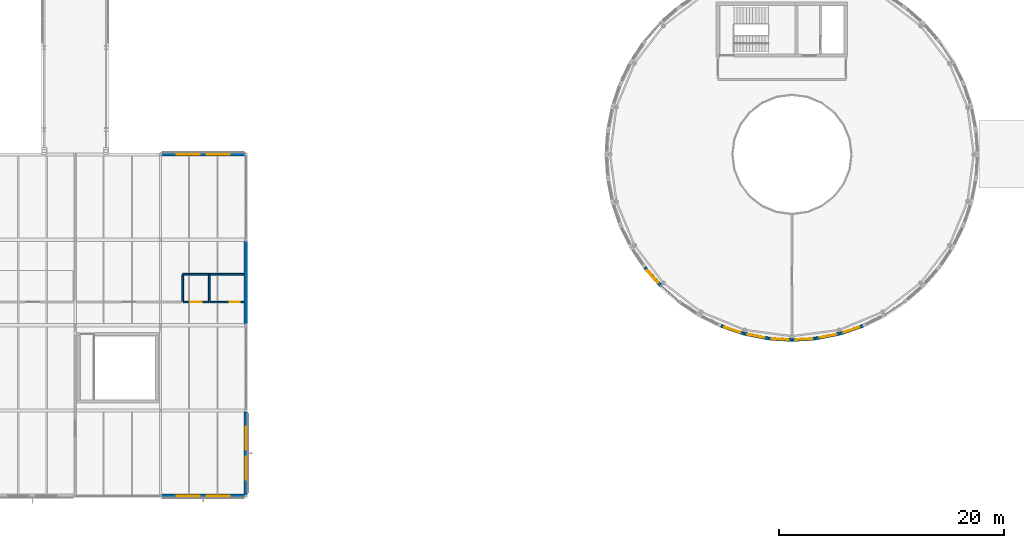
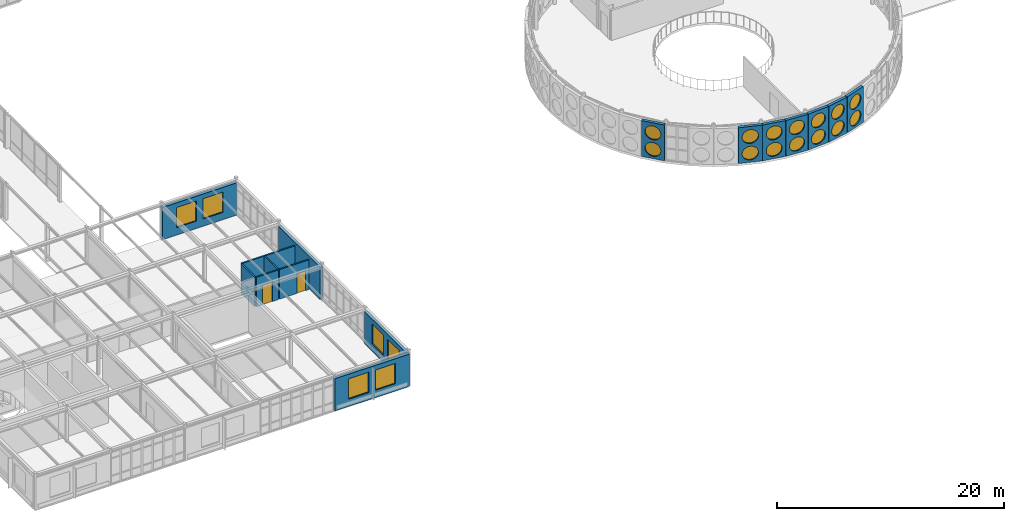
# One storey, part 158 of 189: 20 windows, 16 walls, 2 doors, 22 openings.
"""IFC4 building model written with IfcOpenShell, lengths in metres."""

from ifc_helpers import new_model, si_unit, direction, frame, frame_2d, origin, place, context, subcontext, project, spatial, rectangle, circle, extrude, material, layer, layer_set, type_object, element, fill, save


model = new_model("IFC4")

# Units and contexts
model_context = context("Model", 3, precision=1e-05, world=origin(), true_north=direction((0.0, 1.0)))
body_context = subcontext(model_context, "Body", "Model", "MODEL_VIEW")
ifc_project = project(units=[si_unit("LENGTHUNIT", "METRE"), si_unit("AREAUNIT", "SQUARE_METRE"), si_unit("VOLUMEUNIT", "CUBIC_METRE"), si_unit("PLANEANGLEUNIT", "RADIAN"), si_unit("MASSUNIT", "GRAM", prefix="KILO")], contexts=[model_context])

# Site, building, storey
site_placement = place(None, origin())
site = spatial("IfcSite", under=ifc_project, at=site_placement, CompositionType="ELEMENT")
building_placement = place(site_placement, origin())
building = spatial("IfcBuilding", under=site, at=building_placement, Name="Montecoro Central Library", CompositionType="ELEMENT")
storey_placement = place(building_placement, frame((0.0, 0.0, 9.179931640625)))
storey = spatial("IfcBuildingStorey", under=building, at=storey_placement, Name="L02", CompositionType="ELEMENT", Elevation=9.179931640625)

# Wall, openings, windows
ifc_material_1 = material(Name="Travertine Roman Stone and concrete C35/45", Category="masonry")
ifc_layer_1 = layer(ifc_material_1, 0.294921875)
ifc_layer_set_1 = layer_set([ifc_layer_1], Name="Travertine Roman Stone and concrete C35/45")
wall_type_1 = type_object("IfcWallType", Name="EW-DRM-295", PredefinedType="SOLIDWALL", material=ifc_layer_set_1)
wall_1_placement = place(storey_placement, frame((78.4990234375, 25.3369140625, 0.0), z_axis=(0.0, 0.0, 1.0), x_axis=(0.659744735503, -0.751489776362, 0.0)))
wall_1 = element("IfcWall", 1, at=wall_1_placement, inside=storey, type_object=wall_type_1, Name="V1-L02-EW-30", PredefinedType="SOLIDWALL", context=body_context, shape_type="SweptSolid", body=[
    extrude(rectangle(XDim=2.144775390625, YDim=0.294921875, at=frame_2d((1.072265625, 0.0))), origin(), (0.0, 0.0, 1.0), 3.85498046875),
])
opening_1_placement = place(wall_1_placement, frame((0.33203125, 0.0, 0.25)))
opening_1 = element("IfcOpeningElement", 2, at=opening_1_placement, cuts=wall_1, Name="Opening WP-03", PredefinedType="OPENING", context=body_context, shape_type="SweptSolid", body=[
    extrude(circle(Radius=0.739990234375, at=frame_2d((0.739990234375, 0.739990234375))), frame((0.0, 0.157470703125, 0.0), z_axis=(0.0, -1.0, 0.0), x_axis=(1.0, 0.0, 0.0)), (0.0, 0.0, 1.0), 0.31494140625),
])
opening_2_placement = place(wall_1_placement, frame((0.33203125, 0.0, 2.030029296875)))
opening_2 = element("IfcOpeningElement", 3, at=opening_2_placement, cuts=wall_1, Name="Opening WP-04", PredefinedType="OPENING", context=body_context, shape_type="SweptSolid", body=[
    extrude(circle(Radius=0.739990234375, at=frame_2d((0.739990234375, 0.739990234375))), frame((0.0, 0.157470703125, 0.0), z_axis=(0.0, -1.0, 0.0), x_axis=(1.0, 0.0, 0.0)), (0.0, 0.0, 1.0), 0.31494140625),
])
ifc_material_2 = material(Name="Clear sky-blue low-E laminated glazing", Category="glass")
window_type_1 = type_object("IfcWindowType", Name="WN-POR-CLR-148", PartitioningType="SINGLE_PANEL", PredefinedType="WINDOW", material=ifc_material_2)
window_1_placement = place(opening_1_placement, origin())
window_1 = element("IfcWindow", 4, at=window_1_placement, inside=storey, type_object=window_type_1, Name="V1-L02-WP-30-1", OverallHeight=1.47998046875, OverallWidth=1.47998046875, PartitioningType="SINGLE_PANEL", PredefinedType="WINDOW", context=body_context, shape_type="SweptSolid", body=[
    extrude(circle(Radius=0.739990234375, at=frame_2d((0.739990234375, 0.739990234375))), frame((0.0, 0.030029296875, 0.0), z_axis=(0.0, -1.0, 0.0), x_axis=(1.0, 0.0, 0.0)), (0.0, 0.0, 1.0), 0.06005859375),
])
fill(opening_1, window_1)
ifc_material_3 = material(Name="Frosted pearl-white ceramic-fritted glazing", Category="glass")
window_type_2 = type_object("IfcWindowType", Name="WN-POR-FRT-148", PartitioningType="SINGLE_PANEL", PredefinedType="WINDOW", material=ifc_material_3)
window_2_placement = place(opening_2_placement, origin())
window_2 = element("IfcWindow", 5, at=window_2_placement, inside=storey, type_object=window_type_2, Name="V1-L02-WP-30-2", OverallHeight=1.47998046875, OverallWidth=1.47998046875, PartitioningType="SINGLE_PANEL", PredefinedType="WINDOW", context=body_context, shape_type="SweptSolid", body=[
    extrude(circle(Radius=0.739990234375, at=frame_2d((0.739990234375, 0.739990234375))), frame((0.0, 0.030029296875, 0.0), z_axis=(0.0, -1.0, 0.0), x_axis=(1.0, 0.0, 0.0)), (0.0, 0.0, 1.0), 0.06005859375),
])
fill(opening_2, window_2)

wall_2_placement = place(storey_placement, frame((85.285888671875, 20.135009765625, 0.0), z_axis=(0.0, 0.0, 1.0), x_axis=(0.946949614692, -0.321382058047, 0.0)))
wall_2 = element("IfcWall", 6, at=wall_2_placement, inside=storey, type_object=wall_type_1, Name="V1-L02-EW-34", PredefinedType="SOLIDWALL", context=body_context, shape_type="SweptSolid", body=[
    extrude(rectangle(XDim=2.143798828125, YDim=0.294921875, at=frame_2d((1.07177734375, 0.0))), origin(), (0.0, 0.0, 1.0), 3.85498046875),
])
opening_3_placement = place(wall_2_placement, frame((0.33203125, 0.0, 0.25)))
opening_3 = element("IfcOpeningElement", 7, at=opening_3_placement, cuts=wall_2, Name="Opening WP-03", PredefinedType="OPENING", context=body_context, shape_type="SweptSolid", body=[
    extrude(circle(Radius=0.739990234375, at=frame_2d((0.739990234375, 0.739990234375))), frame((0.0, 0.157470703125, 0.0), z_axis=(0.0, -1.0, 0.0), x_axis=(1.0, 0.0, 0.0)), (0.0, 0.0, 1.0), 0.31494140625),
])
opening_4_placement = place(wall_2_placement, frame((0.33203125, 0.0, 2.030029296875)))
opening_4 = element("IfcOpeningElement", 8, at=opening_4_placement, cuts=wall_2, Name="Opening WP-04", PredefinedType="OPENING", context=body_context, shape_type="SweptSolid", body=[
    extrude(circle(Radius=0.739990234375, at=frame_2d((0.739990234375, 0.739990234375))), frame((0.0, 0.157470703125, 0.0), z_axis=(0.0, -1.0, 0.0), x_axis=(1.0, 0.0, 0.0)), (0.0, 0.0, 1.0), 0.31494140625),
])
window_3_placement = place(opening_3_placement, origin())
window_3 = element("IfcWindow", 9, at=window_3_placement, inside=storey, type_object=window_type_1, Name="V1-L02-WP-34-1", OverallHeight=1.47998046875, OverallWidth=1.47998046875, PartitioningType="SINGLE_PANEL", PredefinedType="WINDOW", context=body_context, shape_type="SweptSolid", body=[
    extrude(circle(Radius=0.739990234375, at=frame_2d((0.739990234375, 0.739990234375))), frame((0.0, 0.030029296875, 0.0), z_axis=(0.0, -1.0, 0.0), x_axis=(1.0, 0.0, 0.0)), (0.0, 0.0, 1.0), 0.06005859375),
])
fill(opening_3, window_3)
window_4_placement = place(opening_4_placement, origin())
window_4 = element("IfcWindow", 10, at=window_4_placement, inside=storey, type_object=window_type_2, Name="V1-L02-WP-34-2", OverallHeight=1.47998046875, OverallWidth=1.47998046875, PartitioningType="SINGLE_PANEL", PredefinedType="WINDOW", context=body_context, shape_type="SweptSolid", body=[
    extrude(circle(Radius=0.739990234375, at=frame_2d((0.739990234375, 0.739990234375))), frame((0.0, 0.030029296875, 0.0), z_axis=(0.0, -1.0, 0.0), x_axis=(1.0, 0.0, 0.0)), (0.0, 0.0, 1.0), 0.06005859375),
])
fill(opening_4, window_4)

wall_3_placement = place(storey_placement, frame((87.33203125, 19.44091796875, 0.0), z_axis=(0.0, 0.0, 1.0), x_axis=(0.980833742796, -0.194846526766, 0.0)))
wall_3 = element("IfcWall", 11, at=wall_3_placement, inside=storey, type_object=wall_type_1, Name="V1-L02-EW-35", PredefinedType="SOLIDWALL", context=body_context, shape_type="SweptSolid", body=[
    extrude(rectangle(XDim=2.14501953125, YDim=0.294921875, at=frame_2d((1.072509765625, 0.0))), origin(), (0.0, 0.0, 1.0), 3.85498046875),
])
opening_5_placement = place(wall_3_placement, frame((0.3330078125, 0.0, 0.25)))
opening_5 = element("IfcOpeningElement", 12, at=opening_5_placement, cuts=wall_3, Name="Opening WP-04", PredefinedType="OPENING", context=body_context, shape_type="SweptSolid", body=[
    extrude(circle(Radius=0.739990234375, at=frame_2d((0.739990234375, 0.739990234375))), frame((0.0, 0.157470703125, 0.0), z_axis=(0.0, -1.0, 0.0), x_axis=(1.0, 0.0, 0.0)), (0.0, 0.0, 1.0), 0.31494140625),
])
opening_6_placement = place(wall_3_placement, frame((0.3330078125, 0.0, 2.030029296875)))
opening_6 = element("IfcOpeningElement", 13, at=opening_6_placement, cuts=wall_3, Name="Opening WP-03", PredefinedType="OPENING", context=body_context, shape_type="SweptSolid", body=[
    extrude(circle(Radius=0.739990234375, at=frame_2d((0.739990234375, 0.739990234375))), frame((0.0, 0.157470703125, 0.0), z_axis=(0.0, -1.0, 0.0), x_axis=(1.0, 0.0, 0.0)), (0.0, 0.0, 1.0), 0.31494140625),
])
window_5_placement = place(opening_6_placement, origin())
window_5 = element("IfcWindow", 14, at=window_5_placement, inside=storey, type_object=window_type_1, Name="V1-L02-WP-35-2", OverallHeight=1.47998046875, OverallWidth=1.47998046875, PartitioningType="SINGLE_PANEL", PredefinedType="WINDOW", context=body_context, shape_type="SweptSolid", body=[
    extrude(circle(Radius=0.739990234375, at=frame_2d((0.739990234375, 0.739990234375))), frame((0.0, 0.030029296875, 0.0), z_axis=(0.0, -1.0, 0.0), x_axis=(1.0, 0.0, 0.0)), (0.0, 0.0, 1.0), 0.06005859375),
])
fill(opening_6, window_5)
window_6_placement = place(opening_5_placement, origin())
window_6 = element("IfcWindow", 15, at=window_6_placement, inside=storey, type_object=window_type_2, Name="V1-L02-WP-35-1", OverallHeight=1.47998046875, OverallWidth=1.47998046875, PartitioningType="SINGLE_PANEL", PredefinedType="WINDOW", context=body_context, shape_type="SweptSolid", body=[
    extrude(circle(Radius=0.739990234375, at=frame_2d((0.739990234375, 0.739990234375))), frame((0.0, 0.030029296875, 0.0), z_axis=(0.0, -1.0, 0.0), x_axis=(1.0, 0.0, 0.0)), (0.0, 0.0, 1.0), 0.06005859375),
])
fill(opening_5, window_6)

wall_4_placement = place(storey_placement, frame((89.451904296875, 19.02001953125, 0.0), z_axis=(0.0, 0.0, 1.0), x_axis=(0.997899987449, -0.064773567518, 0.0)))
wall_4 = element("IfcWall", 16, at=wall_4_placement, inside=storey, type_object=wall_type_1, Name="V1-L02-EW-36", PredefinedType="SOLIDWALL", context=body_context, shape_type="SweptSolid", body=[
    extrude(rectangle(XDim=2.14453125, YDim=0.294921875, at=frame_2d((1.072265625, 0.0))), origin(), (0.0, 0.0, 1.0), 3.85498046875),
])
opening_7_placement = place(wall_4_placement, frame((0.33203125, 0.0, 0.25)))
opening_7 = element("IfcOpeningElement", 17, at=opening_7_placement, cuts=wall_4, Name="Opening WP-03", PredefinedType="OPENING", context=body_context, shape_type="SweptSolid", body=[
    extrude(circle(Radius=0.739990234375, at=frame_2d((0.739990234375, 0.739990234375))), frame((0.0, 0.157470703125, 0.0), z_axis=(0.0, -1.0, 0.0), x_axis=(1.0, 0.0, 0.0)), (0.0, 0.0, 1.0), 0.31494140625),
])
opening_8_placement = place(wall_4_placement, frame((0.33203125, 0.0, 2.030029296875)))
opening_8 = element("IfcOpeningElement", 18, at=opening_8_placement, cuts=wall_4, Name="Opening WP-04", PredefinedType="OPENING", context=body_context, shape_type="SweptSolid", body=[
    extrude(circle(Radius=0.739990234375, at=frame_2d((0.739990234375, 0.739990234375))), frame((0.0, 0.157470703125, 0.0), z_axis=(0.0, -1.0, 0.0), x_axis=(1.0, 0.0, 0.0)), (0.0, 0.0, 1.0), 0.31494140625),
])
window_7_placement = place(opening_7_placement, origin())
window_7 = element("IfcWindow", 19, at=window_7_placement, inside=storey, type_object=window_type_1, Name="V1-L02-WP-36-1", OverallHeight=1.47998046875, OverallWidth=1.47998046875, PartitioningType="SINGLE_PANEL", PredefinedType="WINDOW", context=body_context, shape_type="SweptSolid", body=[
    extrude(circle(Radius=0.739990234375, at=frame_2d((0.739990234375, 0.739990234375))), frame((0.0, 0.030029296875, 0.0), z_axis=(0.0, -1.0, 0.0), x_axis=(1.0, 0.0, 0.0)), (0.0, 0.0, 1.0), 0.06005859375),
])
fill(opening_7, window_7)
window_8_placement = place(opening_8_placement, origin())
window_8 = element("IfcWindow", 20, at=window_8_placement, inside=storey, type_object=window_type_2, Name="V1-L02-WP-36-2", OverallHeight=1.47998046875, OverallWidth=1.47998046875, PartitioningType="SINGLE_PANEL", PredefinedType="WINDOW", context=body_context, shape_type="SweptSolid", body=[
    extrude(circle(Radius=0.739990234375, at=frame_2d((0.739990234375, 0.739990234375))), frame((0.0, 0.030029296875, 0.0), z_axis=(0.0, -1.0, 0.0), x_axis=(1.0, 0.0, 0.0)), (0.0, 0.0, 1.0), 0.06005859375),
])
fill(opening_8, window_8)

wall_5_placement = place(storey_placement, frame((91.60791015625, 18.881103515625, 0.0), z_axis=(0.0, 0.0, 1.0), x_axis=(0.997899987449, 0.064773567518, 0.0)))
wall_5 = element("IfcWall", 21, at=wall_5_placement, inside=storey, type_object=wall_type_1, Name="V1-L02-EW-37", PredefinedType="SOLIDWALL", context=body_context, shape_type="SweptSolid", body=[
    extrude(rectangle(XDim=2.14453125, YDim=0.294921875, at=frame_2d((1.072265625, 0.0))), origin(), (0.0, 0.0, 1.0), 3.85498046875),
])
opening_9_placement = place(wall_5_placement, frame((0.33203125, 0.0, 0.25)))
opening_9 = element("IfcOpeningElement", 22, at=opening_9_placement, cuts=wall_5, Name="Opening WP-04", PredefinedType="OPENING", context=body_context, shape_type="SweptSolid", body=[
    extrude(circle(Radius=0.739990234375, at=frame_2d((0.739990234375, 0.739990234375))), frame((0.0, 0.157470703125, 0.0), z_axis=(0.0, -1.0, 0.0), x_axis=(1.0, 0.0, 0.0)), (0.0, 0.0, 1.0), 0.31494140625),
])
opening_10_placement = place(wall_5_placement, frame((0.33203125, 0.0, 2.030029296875)))
opening_10 = element("IfcOpeningElement", 23, at=opening_10_placement, cuts=wall_5, Name="Opening WP-03", PredefinedType="OPENING", context=body_context, shape_type="SweptSolid", body=[
    extrude(circle(Radius=0.739990234375, at=frame_2d((0.739990234375, 0.739990234375))), frame((0.0, 0.157470703125, 0.0), z_axis=(0.0, -1.0, 0.0), x_axis=(1.0, 0.0, 0.0)), (0.0, 0.0, 1.0), 0.31494140625),
])
window_9_placement = place(opening_10_placement, origin())
window_9 = element("IfcWindow", 24, at=window_9_placement, inside=storey, type_object=window_type_1, Name="V1-L02-WP-37-2", OverallHeight=1.47998046875, OverallWidth=1.47998046875, PartitioningType="SINGLE_PANEL", PredefinedType="WINDOW", context=body_context, shape_type="SweptSolid", body=[
    extrude(circle(Radius=0.739990234375, at=frame_2d((0.739990234375, 0.739990234375))), frame((0.0, 0.030029296875, 0.0), z_axis=(0.0, -1.0, 0.0), x_axis=(1.0, 0.0, 0.0)), (0.0, 0.0, 1.0), 0.06005859375),
])
fill(opening_10, window_9)
window_10_placement = place(opening_9_placement, origin())
window_10 = element("IfcWindow", 25, at=window_10_placement, inside=storey, type_object=window_type_2, Name="V1-L02-WP-37-1", OverallHeight=1.47998046875, OverallWidth=1.47998046875, PartitioningType="SINGLE_PANEL", PredefinedType="WINDOW", context=body_context, shape_type="SweptSolid", body=[
    extrude(circle(Radius=0.739990234375, at=frame_2d((0.739990234375, 0.739990234375))), frame((0.0, 0.030029296875, 0.0), z_axis=(0.0, -1.0, 0.0), x_axis=(1.0, 0.0, 0.0)), (0.0, 0.0, 1.0), 0.06005859375),
])
fill(opening_9, window_10)

wall_6_placement = place(storey_placement, frame((93.763916015625, 19.02294921875, 0.0), z_axis=(0.0, 0.0, 1.0), x_axis=(0.980833742796, 0.194846526766, 0.0)))
wall_6 = element("IfcWall", 26, at=wall_6_placement, inside=storey, type_object=wall_type_1, Name="V1-L02-EW-38", PredefinedType="SOLIDWALL", context=body_context, shape_type="SweptSolid", body=[
    extrude(rectangle(XDim=2.14501953125, YDim=0.294921875, at=frame_2d((1.072509765625, 0.0))), origin(), (0.0, 0.0, 1.0), 3.85498046875),
])
opening_11_placement = place(wall_6_placement, frame((0.3330078125, 0.0, 0.25)))
opening_11 = element("IfcOpeningElement", 27, at=opening_11_placement, cuts=wall_6, Name="Opening WP-03", PredefinedType="OPENING", context=body_context, shape_type="SweptSolid", body=[
    extrude(circle(Radius=0.739990234375, at=frame_2d((0.739990234375, 0.739990234375))), frame((0.0, 0.157470703125, 0.0), z_axis=(0.0, -1.0, 0.0), x_axis=(1.0, 0.0, 0.0)), (0.0, 0.0, 1.0), 0.31494140625),
])
opening_12_placement = place(wall_6_placement, frame((0.3330078125, 0.0, 2.030029296875)))
opening_12 = element("IfcOpeningElement", 28, at=opening_12_placement, cuts=wall_6, Name="Opening WP-04", PredefinedType="OPENING", context=body_context, shape_type="SweptSolid", body=[
    extrude(circle(Radius=0.739990234375, at=frame_2d((0.739990234375, 0.739990234375))), frame((0.0, 0.157470703125, 0.0), z_axis=(0.0, -1.0, 0.0), x_axis=(1.0, 0.0, 0.0)), (0.0, 0.0, 1.0), 0.31494140625),
])
window_11_placement = place(opening_11_placement, origin())
window_11 = element("IfcWindow", 29, at=window_11_placement, inside=storey, type_object=window_type_1, Name="V1-L02-WP-38-1", OverallHeight=1.47998046875, OverallWidth=1.47998046875, PartitioningType="SINGLE_PANEL", PredefinedType="WINDOW", context=body_context, shape_type="SweptSolid", body=[
    extrude(circle(Radius=0.739990234375, at=frame_2d((0.739990234375, 0.739990234375))), frame((0.0, 0.030029296875, 0.0), z_axis=(0.0, -1.0, 0.0), x_axis=(1.0, 0.0, 0.0)), (0.0, 0.0, 1.0), 0.06005859375),
])
fill(opening_11, window_11)
window_12_placement = place(opening_12_placement, origin())
window_12 = element("IfcWindow", 30, at=window_12_placement, inside=storey, type_object=window_type_2, Name="V1-L02-WP-38-2", OverallHeight=1.47998046875, OverallWidth=1.47998046875, PartitioningType="SINGLE_PANEL", PredefinedType="WINDOW", context=body_context, shape_type="SweptSolid", body=[
    extrude(circle(Radius=0.739990234375, at=frame_2d((0.739990234375, 0.739990234375))), frame((0.0, 0.030029296875, 0.0), z_axis=(0.0, -1.0, 0.0), x_axis=(1.0, 0.0, 0.0)), (0.0, 0.0, 1.0), 0.06005859375),
])
fill(opening_12, window_12)

wall_7_placement = place(storey_placement, frame((95.884033203125, 19.446044921875, 0.0), z_axis=(0.0, 0.0, 1.0), x_axis=(0.946949614692, 0.321382058047, 0.0)))
wall_7 = element("IfcWall", 31, at=wall_7_placement, inside=storey, type_object=wall_type_1, Name="V1-L02-EW-39", PredefinedType="SOLIDWALL", context=body_context, shape_type="SweptSolid", body=[
    extrude(rectangle(XDim=2.143798828125, YDim=0.294921875, at=frame_2d((1.07177734375, 0.0))), origin(), (0.0, 0.0, 1.0), 3.85498046875),
])
opening_13_placement = place(wall_7_placement, frame((0.33203125, 0.0, 0.25)))
opening_13 = element("IfcOpeningElement", 32, at=opening_13_placement, cuts=wall_7, Name="Opening WP-04", PredefinedType="OPENING", context=body_context, shape_type="SweptSolid", body=[
    extrude(circle(Radius=0.739990234375, at=frame_2d((0.739990234375, 0.739990234375))), frame((0.0, 0.157470703125, 0.0), z_axis=(0.0, -1.0, 0.0), x_axis=(1.0, 0.0, 0.0)), (0.0, 0.0, 1.0), 0.31494140625),
])
opening_14_placement = place(wall_7_placement, frame((0.33203125, 0.0, 2.030029296875)))
opening_14 = element("IfcOpeningElement", 33, at=opening_14_placement, cuts=wall_7, Name="Opening WP-03", PredefinedType="OPENING", context=body_context, shape_type="SweptSolid", body=[
    extrude(circle(Radius=0.739990234375, at=frame_2d((0.739990234375, 0.739990234375))), frame((0.0, 0.157470703125, 0.0), z_axis=(0.0, -1.0, 0.0), x_axis=(1.0, 0.0, 0.0)), (0.0, 0.0, 1.0), 0.31494140625),
])
window_13_placement = place(opening_14_placement, origin())
window_13 = element("IfcWindow", 34, at=window_13_placement, inside=storey, type_object=window_type_1, Name="V1-L02-WP-39-2", OverallHeight=1.47998046875, OverallWidth=1.47998046875, PartitioningType="SINGLE_PANEL", PredefinedType="WINDOW", context=body_context, shape_type="SweptSolid", body=[
    extrude(circle(Radius=0.739990234375, at=frame_2d((0.739990234375, 0.739990234375))), frame((0.0, 0.030029296875, 0.0), z_axis=(0.0, -1.0, 0.0), x_axis=(1.0, 0.0, 0.0)), (0.0, 0.0, 1.0), 0.06005859375),
])
fill(opening_14, window_13)
window_14_placement = place(opening_13_placement, origin())
window_14 = element("IfcWindow", 35, at=window_14_placement, inside=storey, type_object=window_type_2, Name="V1-L02-WP-39-1", OverallHeight=1.47998046875, OverallWidth=1.47998046875, PartitioningType="SINGLE_PANEL", PredefinedType="WINDOW", context=body_context, shape_type="SweptSolid", body=[
    extrude(circle(Radius=0.739990234375, at=frame_2d((0.739990234375, 0.739990234375))), frame((0.0, 0.030029296875, 0.0), z_axis=(0.0, -1.0, 0.0), x_axis=(1.0, 0.0, 0.0)), (0.0, 0.0, 1.0), 0.06005859375),
])
fill(opening_13, window_14)

ifc_material_4 = material(Name="Roman travertine stone clad concrete C35/45", Category="masonry")
ifc_layer_2 = layer(ifc_material_4, 0.31005859375)
ifc_layer_set_2 = layer_set([ifc_layer_2], Name="Roman travertine stone clad concrete C35/45")
wall_type_2 = type_object("IfcWallType", Name="EW-TRV-310", PredefinedType="SOLIDWALL", material=ifc_layer_set_2)
wall_8_placement = place(storey_placement, frame((35.404052734375, 5.0, 0.0), z_axis=(0.0, 0.0, 1.0), x_axis=(1.0, 0.0, 0.0)))
wall_8 = element("IfcWall", 36, at=wall_8_placement, inside=storey, type_object=wall_type_2, Name="V3-L02-EW-S4", PredefinedType="SOLIDWALL", context=body_context, shape_type="SweptSolid", body=[
    extrude(rectangle(XDim=7.592041015625, YDim=0.31005859375, at=frame_2d((3.7958984375, 0.0))), origin(), (0.0, 0.0, 1.0), 3.47998046875),
])
opening_15_placement = place(wall_8_placement, frame((1.4208984375, 0.0, 0.800048828125)))
opening_15 = element("IfcOpeningElement", 37, at=opening_15_placement, cuts=wall_8, Name="Opening WN-13", PredefinedType="OPENING", context=body_context, shape_type="SweptSolid", body=[
    extrude(rectangle(XDim=2.050048828125, YDim=2.179931640625, at=frame_2d((1.02490234375, 1.08984375))), frame((0.0, 0.1650390625, 0.0), z_axis=(0.0, -1.0, 0.0), x_axis=(1.0, 0.0, 0.0)), (0.0, 0.0, 1.0), 0.330078125),
])
opening_16_placement = place(wall_8_placement, frame((4.12109375, 0.0, 0.800048828125)))
opening_16 = element("IfcOpeningElement", 38, at=opening_16_placement, cuts=wall_8, Name="Opening WN-13", PredefinedType="OPENING", context=body_context, shape_type="SweptSolid", body=[
    extrude(rectangle(XDim=2.050048828125, YDim=2.179931640625, at=frame_2d((1.02490234375, 1.08984375))), frame((0.0, 0.1650390625, 0.0), z_axis=(0.0, -1.0, 0.0), x_axis=(1.0, 0.0, 0.0)), (0.0, 0.0, 1.0), 0.330078125),
])
ifc_material_5 = material(Name="Laminated low-E double glazing", Category="glass")
window_type_3 = type_object("IfcWindowType", Name="WN-CHD-205", PartitioningType="SINGLE_PANEL", PredefinedType="WINDOW", material=ifc_material_5)
window_15_placement = place(opening_15_placement, origin())
window_15 = element("IfcWindow", 39, at=window_15_placement, inside=storey, type_object=window_type_3, Name="V3-L02-WN-S4-1", OverallHeight=2.179931640625, OverallWidth=2.050048828125, PartitioningType="SINGLE_PANEL", PredefinedType="WINDOW", context=body_context, shape_type="SweptSolid", body=[
    extrude(rectangle(XDim=2.050048828125, YDim=2.179931640625, at=frame_2d((1.02490234375, 1.08984375))), frame((0.0, 0.030029296875, 0.0), z_axis=(0.0, -1.0, 0.0), x_axis=(1.0, 0.0, 0.0)), (0.0, 0.0, 1.0), 0.06005859375),
])
fill(opening_15, window_15)
window_16_placement = place(opening_16_placement, origin())
window_16 = element("IfcWindow", 40, at=window_16_placement, inside=storey, type_object=window_type_3, Name="V3-L02-WN-S4-2", OverallHeight=2.179931640625, OverallWidth=2.050048828125, PartitioningType="SINGLE_PANEL", PredefinedType="WINDOW", context=body_context, shape_type="SweptSolid", body=[
    extrude(rectangle(XDim=2.050048828125, YDim=2.179931640625, at=frame_2d((1.02490234375, 1.08984375))), frame((0.0, 0.030029296875, 0.0), z_axis=(0.0, -1.0, 0.0), x_axis=(1.0, 0.0, 0.0)), (0.0, 0.0, 1.0), 0.06005859375),
])
fill(opening_16, window_16)

wall_9_placement = place(storey_placement, frame((43.0, 5.117919921875, 0.0), z_axis=(0.0, 0.0, 1.0), x_axis=(0.0, 1.0, 0.0)))
wall_9 = element("IfcWall", 41, at=wall_9_placement, inside=storey, type_object=wall_type_2, Name="V3-L02-EW-E0", PredefinedType="SOLIDWALL", context=body_context, shape_type="SweptSolid", body=[
    extrude(rectangle(XDim=7.364013671875, YDim=0.31005859375, at=frame_2d((3.68212890625, 0.0))), origin(), (0.0, 0.0, 1.0), 3.47998046875),
])
opening_17_placement = place(wall_9_placement, frame((1.306884765625, 0.0, 0.800048828125)))
opening_17 = element("IfcOpeningElement", 42, at=opening_17_placement, cuts=wall_9, Name="Opening WN-13", PredefinedType="OPENING", context=body_context, shape_type="SweptSolid", body=[
    extrude(rectangle(XDim=2.050048828125, YDim=2.179931640625, at=frame_2d((1.02490234375, 1.08984375))), frame((0.0, 0.1650390625, 0.0), z_axis=(0.0, -1.0, 0.0), x_axis=(1.0, 0.0, 0.0)), (0.0, 0.0, 1.0), 0.330078125),
])
opening_18_placement = place(wall_9_placement, frame((4.007080078125, 0.0, 0.800048828125)))
opening_18 = element("IfcOpeningElement", 43, at=opening_18_placement, cuts=wall_9, Name="Opening WN-13", PredefinedType="OPENING", context=body_context, shape_type="SweptSolid", body=[
    extrude(rectangle(XDim=2.050048828125, YDim=2.179931640625, at=frame_2d((1.02490234375, 1.08984375))), frame((0.0, 0.1650390625, 0.0), z_axis=(0.0, -1.0, 0.0), x_axis=(1.0, 0.0, 0.0)), (0.0, 0.0, 1.0), 0.330078125),
])
window_17_placement = place(opening_17_placement, origin())
window_17 = element("IfcWindow", 44, at=window_17_placement, inside=storey, type_object=window_type_3, Name="V3-L02-WN-E0-1", OverallHeight=2.179931640625, OverallWidth=2.050048828125, PartitioningType="SINGLE_PANEL", PredefinedType="WINDOW", context=body_context, shape_type="SweptSolid", body=[
    extrude(rectangle(XDim=2.050048828125, YDim=2.179931640625, at=frame_2d((1.02490234375, 1.08984375))), frame((0.0, 0.030029296875, 0.0), z_axis=(0.0, -1.0, 0.0), x_axis=(1.0, 0.0, 0.0)), (0.0, 0.0, 1.0), 0.06005859375),
])
fill(opening_17, window_17)
window_18_placement = place(opening_18_placement, origin())
window_18 = element("IfcWindow", 45, at=window_18_placement, inside=storey, type_object=window_type_3, Name="V3-L02-WN-E0-2", OverallHeight=2.179931640625, OverallWidth=2.050048828125, PartitioningType="SINGLE_PANEL", PredefinedType="WINDOW", context=body_context, shape_type="SweptSolid", body=[
    extrude(rectangle(XDim=2.050048828125, YDim=2.179931640625, at=frame_2d((1.02490234375, 1.08984375))), frame((0.0, 0.030029296875, 0.0), z_axis=(0.0, -1.0, 0.0), x_axis=(1.0, 0.0, 0.0)), (0.0, 0.0, 1.0), 0.06005859375),
])
fill(opening_18, window_18)

# Wall
wall_10_placement = place(storey_placement, frame((43.0, 20.318115234375, 0.0), z_axis=(0.0, 0.0, 1.0), x_axis=(0.0, 1.0, 0.0)))
element("IfcWall", 46, at=wall_10_placement, inside=storey, type_object=wall_type_2, Name="V3-L02-EW-E2", PredefinedType="SOLIDWALL", context=body_context, shape_type="SweptSolid", body=[
    extrude(rectangle(XDim=7.36376953125, YDim=0.31005859375, at=frame_2d((3.681884765625, 0.0))), origin(), (0.0, 0.0, 1.0), 3.47998046875),
])

# Wall, openings, windows
wall_11_placement = place(storey_placement, frame((42.99609375, 35.39990234375, 0.0), z_axis=(0.0, 0.0, 1.0), x_axis=(-1.0, 0.0, 0.0)))
wall_11 = element("IfcWall", 47, at=wall_11_placement, inside=storey, type_object=wall_type_2, Name="V3-L02-EW-N4", PredefinedType="SOLIDWALL", context=body_context, shape_type="SweptSolid", body=[
    extrude(rectangle(XDim=7.592041015625, YDim=0.31005859375, at=frame_2d((3.7958984375, 0.0))), origin(), (0.0, 0.0, 1.0), 3.47998046875),
])
opening_19_placement = place(wall_11_placement, frame((1.4208984375, 0.0, 0.800048828125)))
opening_19 = element("IfcOpeningElement", 48, at=opening_19_placement, cuts=wall_11, Name="Opening WN-13", PredefinedType="OPENING", context=body_context, shape_type="SweptSolid", body=[
    extrude(rectangle(XDim=2.050048828125, YDim=2.179931640625, at=frame_2d((1.02490234375, 1.08984375))), frame((0.0, 0.1650390625, 0.0), z_axis=(0.0, -1.0, 0.0), x_axis=(1.0, 0.0, 0.0)), (0.0, 0.0, 1.0), 0.330078125),
])
opening_20_placement = place(wall_11_placement, frame((4.12109375, 0.0, 0.800048828125)))
opening_20 = element("IfcOpeningElement", 49, at=opening_20_placement, cuts=wall_11, Name="Opening WN-13", PredefinedType="OPENING", context=body_context, shape_type="SweptSolid", body=[
    extrude(rectangle(XDim=2.050048828125, YDim=2.179931640625, at=frame_2d((1.02490234375, 1.08984375))), frame((0.0, 0.1650390625, 0.0), z_axis=(0.0, -1.0, 0.0), x_axis=(1.0, 0.0, 0.0)), (0.0, 0.0, 1.0), 0.330078125),
])
window_19_placement = place(opening_19_placement, origin())
window_19 = element("IfcWindow", 50, at=window_19_placement, inside=storey, type_object=window_type_3, Name="V3-L02-WN-N4-1", OverallHeight=2.179931640625, OverallWidth=2.050048828125, PartitioningType="SINGLE_PANEL", PredefinedType="WINDOW", context=body_context, shape_type="SweptSolid", body=[
    extrude(rectangle(XDim=2.050048828125, YDim=2.179931640625, at=frame_2d((1.02490234375, 1.08984375))), frame((0.0, 0.030029296875, 0.0), z_axis=(0.0, -1.0, 0.0), x_axis=(1.0, 0.0, 0.0)), (0.0, 0.0, 1.0), 0.06005859375),
])
fill(opening_19, window_19)
window_20_placement = place(opening_20_placement, origin())
window_20 = element("IfcWindow", 51, at=window_20_placement, inside=storey, type_object=window_type_3, Name="V3-L02-WN-N4-2", OverallHeight=2.179931640625, OverallWidth=2.050048828125, PartitioningType="SINGLE_PANEL", PredefinedType="WINDOW", context=body_context, shape_type="SweptSolid", body=[
    extrude(rectangle(XDim=2.050048828125, YDim=2.179931640625, at=frame_2d((1.02490234375, 1.08984375))), frame((0.0, 0.030029296875, 0.0), z_axis=(0.0, -1.0, 0.0), x_axis=(1.0, 0.0, 0.0)), (0.0, 0.0, 1.0), 0.06005859375),
])
fill(opening_20, window_20)

# Walls
ifc_material_6 = material(Name="Moisture-resistant ceramic-tiled partition")
ifc_layer_3 = layer(ifc_material_6, 0.14990234375)
ifc_layer_set_3 = layer_set([ifc_layer_3], Name="Moisture-resistant ceramic-tiled partition")
wall_type_3 = type_object("IfcWallType", Name="IW-WET-150", PredefinedType="PARTITIONING", material=ifc_layer_set_3)
wall_12_placement = place(storey_placement, frame((37.3798828125, 24.72998046875, 0.0), z_axis=(0.0, 0.0, 1.0), x_axis=(1.0, 0.0, 0.0)))
element("IfcWall", 52, at=wall_12_placement, inside=storey, type_object=wall_type_3, Name="WC-V3-L02-WBK", PredefinedType="PARTITIONING", context=body_context, shape_type="SweptSolid", body=[
    extrude(rectangle(XDim=5.420166015625, YDim=0.14990234375, at=frame_2d((2.7099609375, 0.0))), origin(), (0.0, 0.0, 1.0), 3.18017578125),
])
for number, where, z_axis, x_axis, name in (
    (53, (37.3798828125, 22.31005859375, 0.0), (0.0, 0.0, 1.0), (0.0, 1.0, 0.0), "WC-V3-L02-WW"),
    (54, (39.72998046875, 22.31005859375, 0.0), (0.0, 0.0, 1.0), (0.0, 1.0, 0.0), "WC-V3-L02-WM"),
):
    element("IfcWall", number, at=place(storey_placement, frame(where, z_axis=z_axis, x_axis=x_axis)), inside=storey, type_object=wall_type_3, Name=name, PredefinedType="PARTITIONING", context=body_context, shape_type="SweptSolid", body=[
        extrude(rectangle(XDim=2.35986328125, YDim=0.14990234375, at=frame_2d((1.179931640625, 0.0))), origin(), (0.0, 0.0, 1.0), 3.18017578125),
    ])

# Wall, opening, door
wall_13_placement = place(storey_placement, frame((37.43994140625, 22.25, 0.0), z_axis=(0.0, 0.0, 1.0), x_axis=(1.0, 0.0, 0.0)))
wall_13 = element("IfcWall", 55, at=wall_13_placement, inside=storey, type_object=wall_type_3, Name="WC-V3-L02-WFA", PredefinedType="PARTITIONING", context=body_context, shape_type="SweptSolid", body=[
    extrude(rectangle(XDim=2.25, YDim=0.14990234375, at=frame_2d((1.125, 0.0))), origin(), (0.0, 0.0, 1.0), 3.18017578125),
])
opening_21_placement = place(wall_13_placement, frame((0.625, 0.0, 0.0)))
opening_21 = element("IfcOpeningElement", 56, at=opening_21_placement, cuts=wall_13, Name="Opening ID-15", PredefinedType="OPENING", context=body_context, shape_type="SweptSolid", body=[
    extrude(rectangle(XDim=1.0, YDim=2.14990234375, at=frame_2d((0.5, 1.074951171875))), frame((0.0, 0.0849609375, 0.0), z_axis=(0.0, -1.0, 0.0), x_axis=(1.0, 0.0, 0.0)), (0.0, 0.0, 1.0), 0.169921875),
])
ifc_material_7 = material(Name="Solid oak and fire-rated steel door", Category="steel")
door_type_1 = type_object("IfcDoorType", Name="ID-AWC-100", OperationType="NOTDEFINED", PredefinedType="DOOR", material=ifc_material_7)
door_1_placement = place(opening_21_placement, origin())
door_1 = element("IfcDoor", 57, at=door_1_placement, inside=storey, type_object=door_type_1, Name="DR-SP-V3-L02-AWC", OperationType="SINGLE_SWING_RIGHT", OverallHeight=2.14990234375, OverallWidth=1.0, PredefinedType="DOOR", context=body_context, shape_type="SweptSolid", body=[
    extrude(rectangle(XDim=1.0, YDim=2.14990234375, at=frame_2d((0.5, 1.074951171875))), frame((0.0, 0.02490234375, 0.0), z_axis=(0.0, -1.0, 0.0), x_axis=(1.0, 0.0, 0.0)), (0.0, 0.0, 1.0), 0.050048828125),
])
fill(opening_21, door_1)

wall_14_placement = place(storey_placement, frame((39.77001953125, 22.25, 0.0), z_axis=(0.0, 0.0, 1.0), x_axis=(1.0, 0.0, 0.0)))
wall_14 = element("IfcWall", 58, at=wall_14_placement, inside=storey, type_object=wall_type_3, Name="WC-V3-L02-WFP", PredefinedType="PARTITIONING", context=body_context, shape_type="SweptSolid", body=[
    extrude(rectangle(XDim=3.030029296875, YDim=0.14990234375, at=frame_2d((1.51513671875, 0.0))), origin(), (0.0, 0.0, 1.0), 3.18017578125),
])
opening_22_placement = place(wall_14_placement, frame((1.780029296875, 0.0, 0.0)))
opening_22 = element("IfcOpeningElement", 59, at=opening_22_placement, cuts=wall_14, Name="Opening ID-16", PredefinedType="OPENING", context=body_context, shape_type="SweptSolid", body=[
    extrude(rectangle(XDim=0.89990234375, YDim=2.14990234375, at=frame_2d((0.449951171875, 1.074951171875))), frame((0.0, 0.0849609375, 0.0), z_axis=(0.0, -1.0, 0.0), x_axis=(1.0, 0.0, 0.0)), (0.0, 0.0, 1.0), 0.169921875),
])
door_type_2 = type_object("IfcDoorType", Name="ID-WC-090", OperationType="NOTDEFINED", PredefinedType="DOOR", material=ifc_material_7)
door_2_placement = place(opening_22_placement, origin())
door_2 = element("IfcDoor", 60, at=door_2_placement, inside=storey, type_object=door_type_2, Name="DR-SP-V3-L02-PWC", OperationType="SINGLE_SWING_LEFT", OverallHeight=2.14990234375, OverallWidth=0.89990234375, PredefinedType="DOOR", context=body_context, shape_type="SweptSolid", body=[
    extrude(rectangle(XDim=0.89990234375, YDim=2.14990234375, at=frame_2d((0.449951171875, 1.074951171875))), frame((0.0, 0.02490234375, 0.0), z_axis=(0.0, -1.0, 0.0), x_axis=(1.0, 0.0, 0.0)), (0.0, 0.0, 1.0), 0.050048828125),
])
fill(opening_22, door_2)

save(model, "model.ifc")
